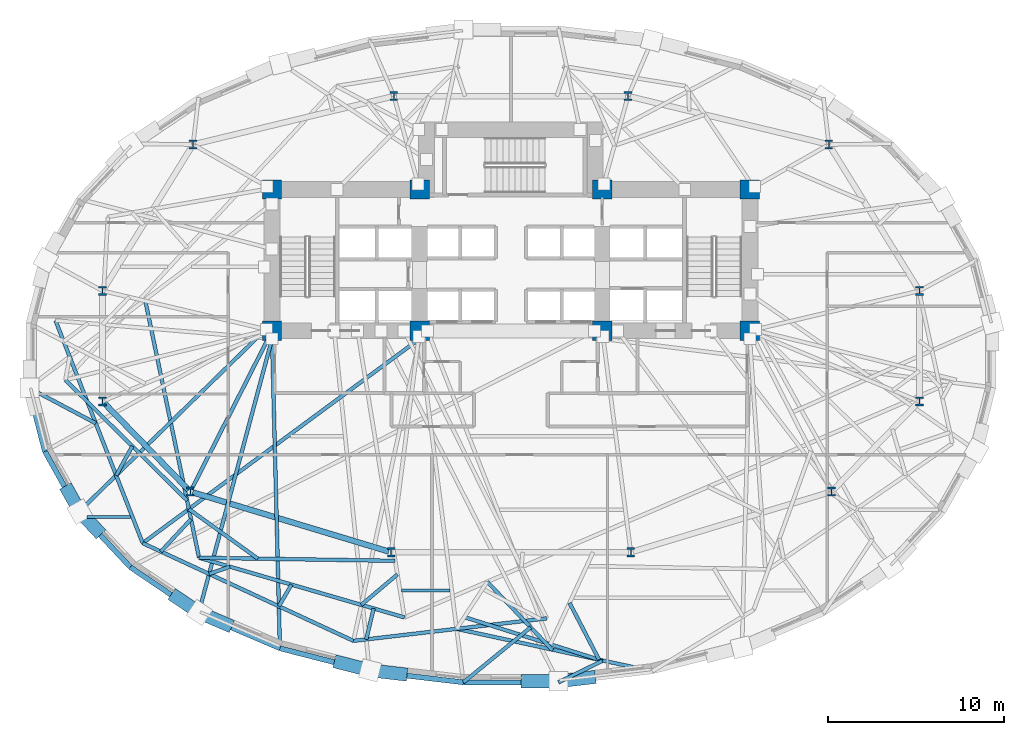
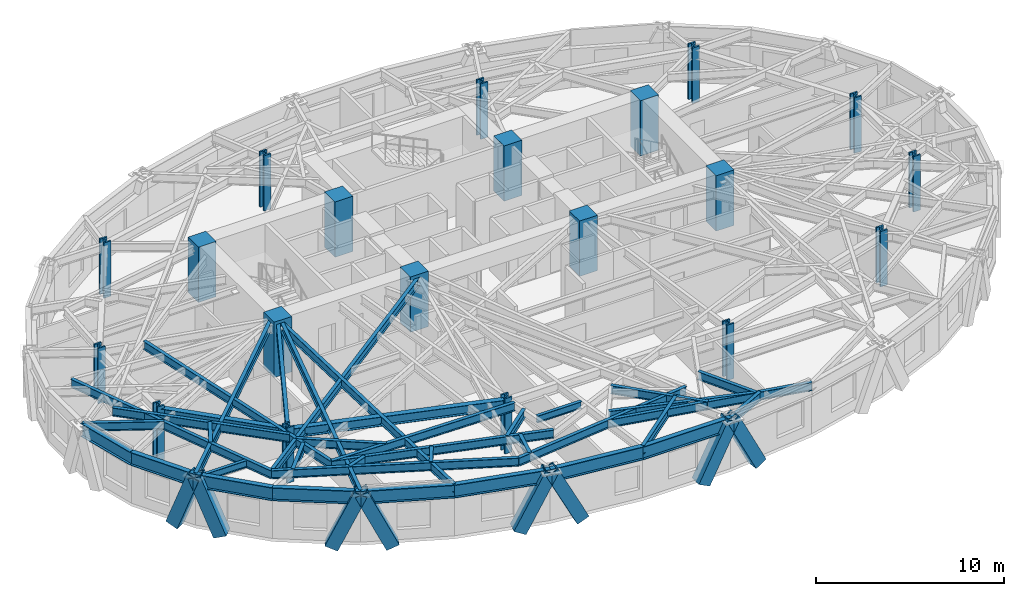
# One storey, part 1 of 13: 38 beams, 20 columns, 8 members.
"""IFC4 building model written with IfcOpenShell, lengths in metres."""

from ifc_helpers import new_model, si_unit, direction, frame, origin, origin_2d, place, context, subcontext, project, spatial, rectangle, hollow_rectangle, i_section, extrude, material, material_profile, profile_set, type_object, element, save


model = new_model("IFC4")

# Units and contexts
model_context = context("Model", 3, precision=1e-05, world=origin(), true_north=direction((0.0, 1.0)))
body_context = subcontext(model_context, "Body", "Model", "MODEL_VIEW")
ifc_project = project(units=[si_unit("LENGTHUNIT", "METRE"), si_unit("AREAUNIT", "SQUARE_METRE"), si_unit("VOLUMEUNIT", "CUBIC_METRE"), si_unit("PLANEANGLEUNIT", "RADIAN"), si_unit("MASSUNIT", "GRAM", prefix="KILO")], contexts=[model_context])

# Site, building, storey
site_placement = place(None, origin())
site = spatial("IfcSite", under=ifc_project, at=site_placement, CompositionType="ELEMENT")
building_placement = place(site_placement, origin())
building = spatial("IfcBuilding", under=site, at=building_placement, Name="Keldmark Tower", CompositionType="ELEMENT")
storey_placement = place(building_placement, frame((0.0, 0.0, 45.0)))
storey = spatial("IfcBuildingStorey", under=building, at=storey_placement, Name="L11", CompositionType="ELEMENT", Elevation=45.0)

# Columns
ifc_material_1 = material(Name="Concrete C70/85", Category="concrete")
ifc_material_profile_1 = material_profile(ifc_material_1, rectangle(XDim=1.10009765625, YDim=1.10009765625, at=origin_2d()), Name="RC1100X1100")
ifc_profile_set_1 = profile_set([ifc_material_profile_1], Name="Concrete C70/85")
column_type_1 = type_object("IfcColumnType", Name="Core Boundary Column RC1100", PredefinedType="COLUMN", material=ifc_profile_set_1)
for number, where, z_axis, x_axis, name in (
    (1, (-13.60009765625, 1.39990234375, 0.0), (0.0, 0.0, 1.0), (1.0, 0.0, 0.0), "L11 Core Boundary Column CC-W1"),
    (2, (-13.60009765625, 9.449951171875, 0.0), (0.0, 0.0, 1.0), (1.0, 0.0, 0.0), "L11 Core Boundary Column CC-W2"),
    (3, (-5.199951171875, 1.39990234375, 0.0), (0.0, 0.0, 1.0), (1.0, 0.0, 0.0), "L11 Core Boundary Column CC-W3"),
    (4, (-5.199951171875, 9.449951171875, 0.0), (0.0, 0.0, 1.0), (1.0, 0.0, 0.0), "L11 Core Boundary Column CC-W4"),
    (5, (5.199951171875, 1.39990234375, 0.0), (0.0, 0.0, 1.0), (1.0, 0.0, 0.0), "L11 Core Boundary Column CC-E1"),
    (6, (5.199951171875, 9.449951171875, 0.0), (0.0, 0.0, 1.0), (1.0, 0.0, 0.0), "L11 Core Boundary Column CC-E2"),
    (7, (13.60009765625, 1.39990234375, 0.0), (0.0, 0.0, 1.0), (1.0, 0.0, 0.0), "L11 Core Boundary Column CC-E3"),
    (8, (13.60009765625, 9.449951171875, 0.0), (0.0, 0.0, 1.0), (1.0, 0.0, 0.0), "L11 Core Boundary Column CC-E4"),
):
    element("IfcColumn", number, at=place(storey_placement, frame(where, z_axis=z_axis, x_axis=x_axis)), inside=storey, type_object=column_type_1, Name=name, PredefinedType="COLUMN", context=body_context, shape_type="SweptSolid", body=[
        extrude(rectangle(XDim=1.10009765625, YDim=1.10009765625, at=origin_2d()), origin(), (0.0, 0.0, 1.0), 3.60009765625),
    ])
ifc_material_2 = material(Name="Steel ASTM A992 Grade 50", Category="steel")
ifc_material_profile_2 = material_profile(ifc_material_2, i_section(OverallWidth=0.43701171875, OverallDepth=0.513916015625, WebThickness=0.060546875, FlangeThickness=0.096923828125, at=origin_2d()), Name="W14X550")
ifc_profile_set_2 = profile_set([ifc_material_profile_2], Name="Steel ASTM A992 Grade 50")
column_type_2 = type_object("IfcColumnType", Name="Tower Gravity Column W14X550", PredefinedType="COLUMN", material=ifc_profile_set_2)
for number, where, z_axis, x_axis, name in (
    (9, (23.25390625, 3.67724609375, 0.0), (0.0, 0.0, 1.0), (1.0, 0.0, 0.0), "L11 Tower Gravity Column TC-E1"),
    (10, (18.09765625, 12.00732421875, 0.0), (0.0, 0.0, 1.0), (1.0, 0.0, 0.0), "L11 Tower Gravity Column TC-E4"),
    (11, (6.6650390625, 14.760009765625, 0.0), (0.0, 0.0, 1.0), (1.0, 0.0, 0.0), "L11 Tower Gravity Column TC-N2"),
    (12, (-6.6650390625, 14.760009765625, 0.0), (0.0, 0.0, 1.0), (1.0, 0.0, 0.0), "L11 Tower Gravity Column TC-N1"),
    (13, (-18.09765625, 12.00732421875, 0.0), (0.0, 0.0, 1.0), (1.0, 0.0, 0.0), "L11 Tower Gravity Column TC-W4"),
    (14, (-23.25390625, 3.67724609375, 0.0), (0.0, 0.0, 1.0), (1.0, 0.0, 0.0), "L11 Tower Gravity Column TC-W1"),
    (15, (-23.25390625, -2.61328125, 0.0), (0.0, 0.0, 1.0), (1.0, 0.0, 0.0), "L11 Tower Gravity Column TC-W5"),
    (16, (-18.252685546875, -7.755615234375, 0.0), (0.0, 0.0, 1.0), (1.0, 0.0, 0.0), "L11 Tower Gravity Column TC-W2"),
    (17, (-6.822021484375, -11.205810546875, 0.0), (0.0, 0.0, 1.0), (1.0, 0.0, 0.0), "L11 Tower Gravity Column TC-W3"),
    (18, (6.822021484375, -11.205810546875, 0.0), (0.0, 0.0, 1.0), (1.0, 0.0, 0.0), "L11 Tower Gravity Column TC-E3"),
    (19, (18.252685546875, -7.755615234375, 0.0), (0.0, 0.0, 1.0), (1.0, 0.0, 0.0), "L11 Tower Gravity Column TC-E2"),
    (20, (23.25390625, -2.61328125, 0.0), (0.0, 0.0, 1.0), (1.0, 0.0, 0.0), "L11 Tower Gravity Column TC-E5"),
):
    element("IfcColumn", number, at=place(storey_placement, frame(where, z_axis=z_axis, x_axis=x_axis)), inside=storey, type_object=column_type_2, Name=name, PredefinedType="COLUMN", context=body_context, shape_type="SweptSolid", body=[
        extrude(i_section(OverallWidth=0.43701171875, OverallDepth=0.513916015625, WebThickness=0.060546875, FlangeThickness=0.096923828125, at=origin_2d()), origin(), (0.0, 0.0, 1.0), 3.60009765625),
    ])

# Beams
ifc_material_3 = material(Name="Steel ASTM A992 Grade 50", Category="steel")
ifc_material_profile_3 = material_profile(ifc_material_3, i_section(OverallWidth=0.19091796875, OverallDepth=0.45703125, WebThickness=0.009033203125, FlangeThickness=0.014404296875, at=origin_2d()), Name="W18X50")
ifc_profile_set_3 = profile_set([ifc_material_profile_3], Name="Steel ASTM A992 Grade 50")
beam_type_1 = type_object("IfcBeamType", Name="Composite Floor Joist W18X50", PredefinedType="JOIST", material=ifc_profile_set_3)
beam_1_placement = place(storey_placement, frame((-6.2177734375, -13.3798828125, 3.17138671875), z_axis=(1.0, 0.0, 0.0), x_axis=(0.0, 1.0, 0.0)))
element("IfcBeam", 21, at=beam_1_placement, inside=storey, type_object=beam_type_1, Name="L11 Composite Floor Joist J01", PredefinedType="JOIST", context=body_context, shape_type="SweptSolid", body=[
    extrude(i_section(OverallWidth=0.19091796875, OverallDepth=0.45703125, WebThickness=0.009033203125, FlangeThickness=0.014404296875, at=origin_2d()), origin(), (0.0, 0.0, 1.0), 2.74853515625),
])
beam_2_placement = place(storey_placement, frame((-24.150390625, -9.199951171875, 3.17138671875), z_axis=(1.0, 0.0, 0.0), x_axis=(0.0, 1.0, 0.0)))
element("IfcBeam", 22, at=beam_2_placement, inside=storey, type_object=beam_type_1, Name="L11 Composite Floor Joist J04", PredefinedType="JOIST", context=body_context, shape_type="SweptSolid", body=[
    extrude(i_section(OverallWidth=0.19091796875, OverallDepth=0.45703125, WebThickness=0.009033203125, FlangeThickness=0.014404296875, at=origin_2d()), origin(), (0.0, 0.0, 1.0), 2.499755859375),
])

# Members
ifc_material_4 = material(Name="Steel ASTM A572 Grade 50", Category="steel")
ifc_material_profile_4 = material_profile(ifc_material_4, hollow_rectangle(XDim=0.75, YDim=0.75, WallThickness=0.06494140625, at=origin_2d()), Name="BOX750X750X65")
ifc_profile_set_4 = profile_set([ifc_material_profile_4], Name="Steel ASTM A572 Grade 50")
member_type = type_object("IfcMemberType", Name="Diagrid Lower Brace BOX750X750X65", PredefinedType="BRACE", material=ifc_profile_set_4)
member_1_placement = place(storey_placement, frame((-25.1943359375, -7.742919921875, -0.280029296875), z_axis=(0.16943120398, -0.303561561286, 0.937626495801), x_axis=(0.873195871477, 0.487369438963, 0.0)))
element("IfcMember", 23, at=member_1_placement, inside=storey, type_object=member_type, Name="L11 Perimeter Diagrid Brace 09B", PredefinedType="BRACE", context=body_context, shape_type="SweptSolid", body=[
    extrude(hollow_rectangle(XDim=0.75, YDim=0.75, WallThickness=0.06494140625, at=origin_2d()), origin(), (0.0, 0.0, 1.0), 3.796875),
])
member_2_placement = place(storey_placement, frame((-23.576904296875, -9.93115234375, -0.280029296875), z_axis=(-0.254983110742, 0.272732683571, 0.927685559092), x_axis=(-0.730477044088, -0.682937250456, 0.0)))
element("IfcMember", 24, at=member_2_placement, inside=storey, type_object=member_type, Name="L11 Perimeter Diagrid Brace 10A", PredefinedType="BRACE", context=body_context, shape_type="SweptSolid", body=[
    extrude(hollow_rectangle(XDim=0.75, YDim=0.75, WallThickness=0.06494140625, at=origin_2d()), origin(), (0.0, 0.0, 1.0), 3.837646484375),
])
member_3_placement = place(storey_placement, frame((-19.035400390625, -13.769775390625, -0.280029296875), z_axis=(0.333111984049, -0.225757763784, 0.915461543799), x_axis=(0.561020614618, 0.827801830134, 0.0)))
element("IfcMember", 25, at=member_3_placement, inside=storey, type_object=member_type, Name="L11 Perimeter Diagrid Brace 10B", PredefinedType="BRACE", context=body_context, shape_type="SweptSolid", body=[
    extrude(hollow_rectangle(XDim=0.75, YDim=0.75, WallThickness=0.06494140625, at=origin_2d()), origin(), (0.0, 0.0, 1.0), 3.888916015625),
])
member_4_placement = place(storey_placement, frame((-16.2041015625, -15.302490234375, -0.280029296875), z_axis=(-0.392247021116, 0.168433661558, 0.904307677773), x_axis=(-0.394567930175, -0.918866774063, 0.0)))
element("IfcMember", 26, at=member_4_placement, inside=storey, type_object=member_type, Name="L11 Perimeter Diagrid Brace 11A", PredefinedType="BRACE", context=body_context, shape_type="SweptSolid", body=[
    extrude(hollow_rectangle(XDim=0.75, YDim=0.75, WallThickness=0.06494140625, at=origin_2d()), origin(), (0.0, 0.0, 1.0), 3.936767578125),
])
member_5_placement = place(storey_placement, frame((-9.722900390625, -17.493896484375, -0.280029296875), z_axis=(0.428497120412, -0.109784320358, 0.896848716787), x_axis=(0.248191356425, 0.96871102533, 0.0)))
element("IfcMember", 27, at=member_5_placement, inside=storey, type_object=member_type, Name="L11 Perimeter Diagrid Brace 11B", PredefinedType="BRACE", context=body_context, shape_type="SweptSolid", body=[
    extrude(hollow_rectangle(XDim=0.75, YDim=0.75, WallThickness=0.06494140625, at=origin_2d()), origin(), (0.0, 0.0, 1.0), 3.969482421875),
])
member_6_placement = place(storey_placement, frame((-6.251220703125, -18.134765625, -0.280029296875), z_axis=(-0.446938713655, 0.052545000865, 0.893020049674), x_axis=(-0.116762289112, -0.993159890371, 0.0)))
element("IfcMember", 28, at=member_6_placement, inside=storey, type_object=member_type, Name="L11 Perimeter Diagrid Brace 12A", PredefinedType="BRACE", context=body_context, shape_type="SweptSolid", body=[
    extrude(hollow_rectangle(XDim=0.75, YDim=0.75, WallThickness=0.06494140625, at=origin_2d()), origin(), (0.0, 0.0, 1.0), 3.986572265625),
])
member_7_placement = place(storey_placement, frame((0.90771484375, -18.551513671875, -0.280029296875), z_axis=(0.451905727985, 0.0, 0.892065699943), x_axis=(0.0, 1.0, 0.0)))
element("IfcMember", 29, at=member_7_placement, inside=storey, type_object=member_type, Name="L11 Perimeter Diagrid Brace 12B", PredefinedType="BRACE", context=body_context, shape_type="SweptSolid", body=[
    extrude(hollow_rectangle(XDim=0.75, YDim=0.75, WallThickness=0.06494140625, at=origin_2d()), origin(), (0.0, 0.0, 1.0), 3.99072265625),
])
member_8_placement = place(storey_placement, frame((4.48095703125, -18.342041015625, -0.280029296875), z_axis=(-0.446938713655, -0.052545000865, 0.893020049674), x_axis=(0.116762289112, -0.993159890371, 0.0)))
element("IfcMember", 30, at=member_8_placement, inside=storey, type_object=member_type, Name="L11 Perimeter Diagrid Brace 13A", PredefinedType="BRACE", context=body_context, shape_type="SweptSolid", body=[
    extrude(hollow_rectangle(XDim=0.75, YDim=0.75, WallThickness=0.06494140625, at=origin_2d()), origin(), (0.0, 0.0, 1.0), 3.986572265625),
])

# Beams
ifc_material_5 = material(Name="Steel ASTM A992 Grade 50", Category="steel")
ifc_material_profile_5 = material_profile(ifc_material_5, i_section(OverallWidth=0.323974609375, OverallDepth=0.611083984375, WebThickness=0.0126953125, FlangeThickness=0.01904296875, at=origin_2d()), Name="W24X104")
ifc_profile_set_5 = profile_set([ifc_material_profile_5], Name="Steel ASTM A992 Grade 50")
beam_type_2 = type_object("IfcBeamType", Name="Primary Floor Girder W24X104", PredefinedType="BEAM", material=ifc_profile_set_5)
beam_3_placement = place(storey_placement, frame((-23.156494140625, -2.713623046875, 3.094482421875), z_axis=(0.697210382268, -0.716866572563, 0.0), x_axis=(0.716866572563, 0.697210382268, 0.0)))
element("IfcBeam", 31, at=beam_3_placement, inside=storey, type_object=beam_type_2, Name="L11 Floor Ring Girder FG-R07", PredefinedType="BEAM", context=body_context, shape_type="SweptSolid", body=[
    extrude(i_section(OverallWidth=0.323974609375, OverallDepth=0.611083984375, WebThickness=0.0126953125, FlangeThickness=0.01904296875, at=origin_2d()), origin(), (0.0, 0.0, 1.0), 6.893310546875),
])
beam_4_placement = place(storey_placement, frame((-18.118896484375, -7.796142578125, 3.094482421875), z_axis=(0.957346071406, -0.2889437654, 0.0), x_axis=(0.2889437654, 0.957346071406, 0.0)))
element("IfcBeam", 32, at=beam_4_placement, inside=storey, type_object=beam_type_2, Name="L11 Floor Ring Girder FG-R08", PredefinedType="BEAM", context=body_context, shape_type="SweptSolid", body=[
    extrude(i_section(OverallWidth=0.323974609375, OverallDepth=0.611083984375, WebThickness=0.0126953125, FlangeThickness=0.01904296875, at=origin_2d()), origin(), (0.0, 0.0, 1.0), 11.66015625),
])
ifc_material_6 = material(Name="Steel ASTM A992 Grade 50", Category="steel")
ifc_material_profile_6 = material_profile(ifc_material_6, i_section(OverallWidth=0.2099609375, OverallDepth=0.537109375, WebThickness=0.010986328125, FlangeThickness=0.017333984375, at=origin_2d()), Name="W21X68")
ifc_profile_set_6 = profile_set([ifc_material_profile_6], Name="Steel ASTM A992 Grade 50")
beam_type_3 = type_object("IfcBeamType", Name="Radial Tie Girder W21X68", PredefinedType="BEAM", material=ifc_profile_set_6)
beam_5_placement = place(storey_placement, frame((-25.365966796875, -1.396728515625, 3.131591796875), z_axis=(0.710554680152, -0.703641987458, 0.0), x_axis=(0.703641987458, 0.710554680152, 0.0)))
element("IfcBeam", 33, at=beam_5_placement, inside=storey, type_object=beam_type_3, Name="L11 Framing Pin Header PH-006", PredefinedType="BEAM", context=body_context, shape_type="SweptSolid", body=[
    extrude(i_section(OverallWidth=0.2099609375, OverallDepth=0.537109375, WebThickness=0.010986328125, FlangeThickness=0.017333984375, at=origin_2d()), origin(), (0.0, 0.0, 1.0), 9.747802734375),
])
beam_6_placement = place(storey_placement, frame((-20.816162109375, 3.102294921875, 3.131591796875), z_axis=(0.204805979275, -0.978802590338, 0.0), x_axis=(0.978802590338, 0.204805979275, 0.0)))
element("IfcBeam", 34, at=beam_6_placement, inside=storey, type_object=beam_type_3, Name="L11 Sub-Ring Step Girder STP1-M08", PredefinedType="BEAM", context=body_context, shape_type="SweptSolid", body=[
    extrude(i_section(OverallWidth=0.2099609375, OverallDepth=0.537109375, WebThickness=0.010986328125, FlangeThickness=0.017333984375, at=origin_2d()), origin(), (0.0, 0.0, 1.0), 14.9365234375),
])
beam_7_placement = place(storey_placement, frame((-17.757080078125, -11.517578125, 3.131591796875), z_axis=(0.999875069683, -0.015806486835, 0.0), x_axis=(0.015806486835, 0.999875069683, 0.0)))
element("IfcBeam", 35, at=beam_7_placement, inside=storey, type_object=beam_type_3, Name="L11 Framing Pin Header PH-007", PredefinedType="BEAM", context=body_context, shape_type="SweptSolid", body=[
    extrude(i_section(OverallWidth=0.2099609375, OverallDepth=0.537109375, WebThickness=0.010986328125, FlangeThickness=0.017333984375, at=origin_2d()), origin(), (0.0, 0.0, 1.0), 11.167236328125),
])
beam_8_placement = place(storey_placement, frame((-17.757080078125, -11.517578125, 3.131591796875), z_axis=(0.960268785137, -0.27907679999, 0.0), x_axis=(0.27907679999, 0.960268785137, 0.0)))
element("IfcBeam", 36, at=beam_8_placement, inside=storey, type_object=beam_type_3, Name="L11 Perimeter Collector Ring Beam CRG1-M08", PredefinedType="BEAM", context=body_context, shape_type="SweptSolid", body=[
    extrude(i_section(OverallWidth=0.2099609375, OverallDepth=0.537109375, WebThickness=0.010986328125, FlangeThickness=0.017333984375, at=origin_2d()), origin(), (0.0, 0.0, 1.0), 12.177490234375),
])
beam_9_placement = place(storey_placement, frame((-14.4072265625, -11.570556640625, 3.131591796875), z_axis=(-0.812111005772, 0.583502968548, 0.0), x_axis=(-0.583502968548, -0.812111005772, 0.0)))
element("IfcBeam", 37, at=beam_9_placement, inside=storey, type_object=beam_type_3, Name="L11 Framing Pin Header PH-011", PredefinedType="BEAM", context=body_context, shape_type="SweptSolid", body=[
    extrude(i_section(OverallWidth=0.2099609375, OverallDepth=0.537109375, WebThickness=0.010986328125, FlangeThickness=0.017333984375, at=origin_2d()), origin(), (0.0, 0.0, 1.0), 4.8388671875),
])
beam_10_placement = place(storey_placement, frame((-5.199951171875, 0.949951171875, 3.131591796875), z_axis=(-0.804551966945, -0.593882254731, 0.0), x_axis=(0.593882254731, -0.804551966945, 0.0)))
element("IfcBeam", 38, at=beam_10_placement, inside=storey, type_object=beam_type_3, Name="L11 Sub-Ring Step Girder STP2-M08", PredefinedType="BEAM", context=body_context, shape_type="SweptSolid", body=[
    extrude(i_section(OverallWidth=0.2099609375, OverallDepth=0.537109375, WebThickness=0.010986328125, FlangeThickness=0.017333984375, at=origin_2d()), origin(), (0.0, 0.0, 1.0), 19.59423828125),
])
beam_11_placement = place(storey_placement, frame((-6.46435546875, -12.46875, 3.131591796875), z_axis=(-0.764329245395, -0.644826181722, 0.0), x_axis=(0.644826181722, -0.764329245395, 0.0)))
element("IfcBeam", 39, at=beam_11_placement, inside=storey, type_object=beam_type_3, Name="L11 Framing Pin Header PH-012", PredefinedType="BEAM", context=body_context, shape_type="SweptSolid", body=[
    extrude(i_section(OverallWidth=0.2099609375, OverallDepth=0.537109375, WebThickness=0.010986328125, FlangeThickness=0.017333984375, at=origin_2d()), origin(), (0.0, 0.0, 1.0), 2.6884765625),
])
beam_12_placement = place(storey_placement, frame((-25.929931640625, 1.986328125, 3.131591796875), z_axis=(0.364800365892, -0.931085760306, 0.0), x_axis=(0.931085760306, 0.364800365892, 0.0)))
element("IfcBeam", 40, at=beam_12_placement, inside=storey, type_object=beam_type_3, Name="L11 Perimeter Collector Ring Beam CRG2-M07", PredefinedType="BEAM", context=body_context, shape_type="SweptSolid", body=[
    extrude(i_section(OverallWidth=0.2099609375, OverallDepth=0.537109375, WebThickness=0.010986328125, FlangeThickness=0.017333984375, at=origin_2d()), origin(), (0.0, 0.0, 1.0), 13.611083984375),
])
beam_13_placement = place(storey_placement, frame((-20.964599609375, -10.686767578125, 3.131591796875), z_axis=(0.907178634648, -0.420745677147, 0.0), x_axis=(0.420745677147, 0.907178634648, 0.0)))
element("IfcBeam", 41, at=beam_13_placement, inside=storey, type_object=beam_type_3, Name="L11 Perimeter Collector Ring Beam CRG2-M08", PredefinedType="BEAM", context=body_context, shape_type="SweptSolid", body=[
    extrude(i_section(OverallWidth=0.2099609375, OverallDepth=0.537109375, WebThickness=0.010986328125, FlangeThickness=0.017333984375, at=origin_2d()), origin(), (0.0, 0.0, 1.0), 13.22412109375),
])
beam_14_placement = place(storey_placement, frame((-8.968017578125, -16.250732421875, 3.131591796875), z_axis=(0.993286026042, 0.115684357068, 0.0), x_axis=(-0.115684357068, 0.993286026042, 0.0)))
element("IfcBeam", 42, at=beam_14_placement, inside=storey, type_object=beam_type_3, Name="L11 Perimeter Collector Ring Beam CRG2-M09", PredefinedType="BEAM", context=body_context, shape_type="SweptSolid", body=[
    extrude(i_section(OverallWidth=0.2099609375, OverallDepth=0.537109375, WebThickness=0.010986328125, FlangeThickness=0.017333984375, at=origin_2d()), origin(), (0.0, 0.0, 1.0), 11.081787109375),
])
beam_15_placement = place(storey_placement, frame((-27.4658203125, -1.8330078125, 3.131591796875), z_axis=(0.88344089832, -0.46854261191, 0.0), x_axis=(0.46854261191, 0.88344089832, 0.0)))
element("IfcBeam", 43, at=beam_15_placement, inside=storey, type_object=beam_type_3, Name="L11 Framing Pin Header PH-026", PredefinedType="BEAM", context=body_context, shape_type="SweptSolid", body=[
    extrude(i_section(OverallWidth=0.2099609375, OverallDepth=0.537109375, WebThickness=0.010986328125, FlangeThickness=0.017333984375, at=origin_2d()), origin(), (0.0, 0.0, 1.0), 4.332763671875),
])
beam_16_placement = place(storey_placement, frame((-21.556396484375, -5.169189453125, 3.131591796875), z_axis=(-0.484277203672, -0.874914618693, 0.0), x_axis=(0.874914618693, -0.484277203672, 0.0)))
element("IfcBeam", 44, at=beam_16_placement, inside=storey, type_object=beam_type_3, Name="L11 Framing Pin Header PH-027", PredefinedType="BEAM", context=body_context, shape_type="SweptSolid", body=[
    extrude(i_section(OverallWidth=0.2099609375, OverallDepth=0.537109375, WebThickness=0.010986328125, FlangeThickness=0.017333984375, at=origin_2d()), origin(), (0.0, 0.0, 1.0), 1.89794921875),
])
beam_17_placement = place(storey_placement, frame((-14.050048828125, 1.39990234375, 3.131591796875), z_axis=(-0.715378294414, -0.698737358298, 0.0), x_axis=(0.698737358298, -0.715378294414, 0.0)))
element("IfcBeam", 45, at=beam_17_placement, inside=storey, type_object=beam_type_3, Name="L11 Perimeter Radial Tie Girder RT-19", PredefinedType="BEAM", context=body_context, shape_type="SweptSolid", body=[
    extrude(i_section(OverallWidth=0.2099609375, OverallDepth=0.537109375, WebThickness=0.010986328125, FlangeThickness=0.017333984375, at=origin_2d()), origin(), (0.0, 0.0, 1.0), 14.759033203125),
])
beam_18_placement = place(storey_placement, frame((-18.216064453125, -9.32470703125, 3.131591796875), z_axis=(-0.681733860463, -0.731600262096, 0.0), x_axis=(0.731600262096, -0.681733860463, 0.0)))
element("IfcBeam", 46, at=beam_18_placement, inside=storey, type_object=beam_type_3, Name="L11 Framing Pin Header PH-028", PredefinedType="BEAM", context=body_context, shape_type="SweptSolid", body=[
    extrude(i_section(OverallWidth=0.2099609375, OverallDepth=0.537109375, WebThickness=0.010986328125, FlangeThickness=0.017333984375, at=origin_2d()), origin(), (0.0, 0.0, 1.0), 2.5166015625),
])
beam_19_placement = place(storey_placement, frame((-16.003173828125, -12.02734375, 3.131591796875), z_axis=(-0.944183253005, -0.329420680505, 0.0), x_axis=(0.329420680505, -0.944183253005, 0.0)))
element("IfcBeam", 47, at=beam_19_placement, inside=storey, type_object=beam_type_3, Name="L11 Framing Pin Header PH-029", PredefinedType="BEAM", context=body_context, shape_type="SweptSolid", body=[
    extrude(i_section(OverallWidth=0.2099609375, OverallDepth=0.537109375, WebThickness=0.010986328125, FlangeThickness=0.017333984375, at=origin_2d()), origin(), (0.0, 0.0, 1.0), 1.251708984375),
])
beam_20_placement = place(storey_placement, frame((-13.60009765625, 0.949951171875, 3.131591796875), z_axis=(-0.258628523431, -0.96597685628, 0.0), x_axis=(0.96597685628, -0.258628523431, 0.0)))
element("IfcBeam", 48, at=beam_20_placement, inside=storey, type_object=beam_type_3, Name="L11 Perimeter Radial Tie Girder RT-21", PredefinedType="BEAM", context=body_context, shape_type="SweptSolid", body=[
    extrude(i_section(OverallWidth=0.2099609375, OverallDepth=0.537109375, WebThickness=0.010986328125, FlangeThickness=0.017333984375, at=origin_2d()), origin(), (0.0, 0.0, 1.0), 16.1865234375),
])
beam_21_placement = place(storey_placement, frame((-12.4951171875, -13.046875, 3.131591796875), z_axis=(-0.503244034677, -0.864144340699, 0.0), x_axis=(0.864144340699, -0.503244034677, 0.0)))
element("IfcBeam", 49, at=beam_21_placement, inside=storey, type_object=beam_type_3, Name="L11 Framing Pin Header PH-030", PredefinedType="BEAM", context=body_context, shape_type="SweptSolid", body=[
    extrude(i_section(OverallWidth=0.2099609375, OverallDepth=0.537109375, WebThickness=0.010986328125, FlangeThickness=0.017333984375, at=origin_2d()), origin(), (0.0, 0.0, 1.0), 1.4287109375),
])
beam_22_placement = place(storey_placement, frame((-13.60009765625, 0.949951171875, 3.131591796875), z_axis=(0.02534127953, -0.99967885821, 0.0), x_axis=(0.99967885821, 0.02534127953, 0.0)))
element("IfcBeam", 50, at=beam_22_placement, inside=storey, type_object=beam_type_3, Name="L11 Perimeter Radial Tie Girder RT-22", PredefinedType="BEAM", context=body_context, shape_type="SweptSolid", body=[
    extrude(i_section(OverallWidth=0.2099609375, OverallDepth=0.537109375, WebThickness=0.010986328125, FlangeThickness=0.017333984375, at=origin_2d()), origin(), (0.0, 0.0, 1.0), 17.63037109375),
])
beam_23_placement = place(storey_placement, frame((-7.8173828125, -14.40625, 3.131591796875), z_axis=(-0.233031009995, -0.972469304596, 0.0), x_axis=(0.972469304596, -0.233031009995, 0.0)))
element("IfcBeam", 51, at=beam_23_placement, inside=storey, type_object=beam_type_3, Name="L11 Framing Pin Header PH-031", PredefinedType="BEAM", context=body_context, shape_type="SweptSolid", body=[
    extrude(i_section(OverallWidth=0.2099609375, OverallDepth=0.537109375, WebThickness=0.010986328125, FlangeThickness=0.017333984375, at=origin_2d()), origin(), (0.0, 0.0, 1.0), 1.809326171875),
])
beam_24_placement = place(storey_placement, frame((-1.34912109375, -12.88818359375, 3.131591796875), z_axis=(0.690178466372, -0.723639195011, 0.0), x_axis=(0.723639195011, 0.690178466372, 0.0)))
element("IfcBeam", 52, at=beam_24_placement, inside=storey, type_object=beam_type_3, Name="L11 Local Collector Chord RT-25C", PredefinedType="BEAM", context=body_context, shape_type="SweptSolid", body=[
    extrude(i_section(OverallWidth=0.2099609375, OverallDepth=0.537109375, WebThickness=0.010986328125, FlangeThickness=0.017333984375, at=origin_2d()), origin(), (0.0, 0.0, 1.0), 5.39208984375),
])
beam_25_placement = place(storey_placement, frame((-2.705078125, -18.611083984375, 3.131591796875), z_axis=(0.774080458609, 0.63308723222, 0.0), x_axis=(-0.63308723222, 0.774080458609, 0.0)))
element("IfcBeam", 53, at=beam_25_placement, inside=storey, type_object=beam_type_3, Name="L11 Framing Pin Header PH-034", PredefinedType="BEAM", context=body_context, shape_type="SweptSolid", body=[
    extrude(i_section(OverallWidth=0.2099609375, OverallDepth=0.537109375, WebThickness=0.010986328125, FlangeThickness=0.017333984375, at=origin_2d()), origin(), (0.0, 0.0, 1.0), 4.9453125),
])
beam_26_placement = place(storey_placement, frame((-2.657470703125, -14.89697265625, 3.131591796875), z_axis=(0.953420236774, -0.301645242147, 0.0), x_axis=(0.301645242147, 0.953420236774, 0.0)))
element("IfcBeam", 54, at=beam_26_placement, inside=storey, type_object=beam_type_3, Name="L11 Intermediate Radial Step Girder RT-26M", PredefinedType="BEAM", context=body_context, shape_type="SweptSolid", body=[
    extrude(i_section(OverallWidth=0.2099609375, OverallDepth=0.537109375, WebThickness=0.010986328125, FlangeThickness=0.017333984375, at=origin_2d()), origin(), (0.0, 0.0, 1.0), 8.253173828125),
])
beam_27_placement = place(storey_placement, frame((2.705078125, -18.611083984375, 3.131591796875), z_axis=(0.898468766926, 0.439037441296, 0.0), x_axis=(-0.439037441296, 0.898468766926, 0.0)))
element("IfcBeam", 55, at=beam_27_placement, inside=storey, type_object=beam_type_3, Name="L11 Local Collector Chord RT-26C", PredefinedType="BEAM", context=body_context, shape_type="SweptSolid", body=[
    extrude(i_section(OverallWidth=0.2099609375, OverallDepth=0.537109375, WebThickness=0.010986328125, FlangeThickness=0.017333984375, at=origin_2d()), origin(), (0.0, 0.0, 1.0), 2.789306640625),
])
beam_28_placement = place(storey_placement, frame((3.33544921875, -14.087646484375, 3.131591796875), z_axis=(0.461051419369, -0.887373421226, 0.0), x_axis=(0.887373421226, 0.461051419369, 0.0)))
element("IfcBeam", 56, at=beam_28_placement, inside=storey, type_object=beam_type_3, Name="L11 Framing Pin Header PH-036", PredefinedType="BEAM", context=body_context, shape_type="SweptSolid", body=[
    extrude(i_section(OverallWidth=0.2099609375, OverallDepth=0.537109375, WebThickness=0.010986328125, FlangeThickness=0.017333984375, at=origin_2d()), origin(), (0.0, 0.0, 1.0), 3.6484375),
])
beam_29_placement = place(storey_placement, frame((-3.093505859375, -15.56640625, 3.131591796875), z_axis=(0.977291004222, -0.21190161176, 0.0), x_axis=(0.21190161176, 0.977291004222, 0.0)))
element("IfcBeam", 57, at=beam_29_placement, inside=storey, type_object=beam_type_3, Name="L11 Perimeter Radial Tie Girder RT-26", PredefinedType="BEAM", context=body_context, shape_type="SweptSolid", body=[
    extrude(i_section(OverallWidth=0.2099609375, OverallDepth=0.537109375, WebThickness=0.010986328125, FlangeThickness=0.017333984375, at=origin_2d()), origin(), (0.0, 0.0, 1.0), 11.40283203125),
])
ifc_material_7 = material(Name="Steel ASTM A992 Grade 50", Category="steel")
ifc_material_profile_7 = material_profile(ifc_material_7, i_section(OverallWidth=0.214111328125, OverallDepth=0.549072265625, WebThickness=0.0146484375, FlangeThickness=0.023681640625, at=origin_2d()), Name="W21X93")
ifc_profile_set_7 = profile_set([ifc_material_profile_7], Name="Steel ASTM A992 Grade 50")
beam_type_4 = type_object("IfcBeamType", Name="Radial Tie Girder W21X93", PredefinedType="BEAM", material=ifc_profile_set_7)
beam_30_placement = place(storey_placement, frame((-18.189453125, -7.630859375, 3.12548828125), z_axis=(0.453037526986, 0.891491446478, 0.0), x_axis=(-0.891491446478, 0.453037526986, 0.0)))
element("IfcBeam", 58, at=beam_30_placement, inside=storey, type_object=beam_type_4, Name="L11 Floor Radial Girder FG-C08", PredefinedType="BEAM", context=body_context, shape_type="SweptSolid", body=[
    extrude(i_section(OverallWidth=0.214111328125, OverallDepth=0.549072265625, WebThickness=0.0146484375, FlangeThickness=0.023681640625, at=origin_2d()), origin(), (0.0, 0.0, 1.0), 9.81005859375),
])
ifc_material_8 = material(Name="Steel ASTM A992 Grade 50", Category="steel")
ifc_material_profile_8 = material_profile(ifc_material_8, i_section(OverallWidth=0.2919921875, OverallDepth=0.85888671875, WebThickness=0.01708984375, FlangeThickness=0.031005859375, at=origin_2d()), Name="W33X169")
ifc_profile_set_8 = profile_set([ifc_material_profile_8], Name="Steel ASTM A992 Grade 50")
beam_type_5 = type_object("IfcBeamType", Name="Spandrel Ring Beam W33X169", PredefinedType="SPANDREL", material=ifc_profile_set_8)
beam_31_placement = place(storey_placement, frame((-27.4658203125, -1.8330078125, 2.970458984375), z_axis=(0.248062710061, -0.968743976434, 0.0), x_axis=(0.968743976434, 0.248062710061, 0.0)))
element("IfcBeam", 59, at=beam_31_placement, inside=storey, type_object=beam_type_5, Name="L11 Perimeter Spandrel Ring Beam SRB-17", PredefinedType="SPANDREL", context=body_context, shape_type="SweptSolid", body=[
    extrude(i_section(OverallWidth=0.2919921875, OverallDepth=0.85888671875, WebThickness=0.01708984375, FlangeThickness=0.031005859375, at=origin_2d()), origin(), (0.0, 0.0, 1.0), 3.739013671875),
])
beam_32_placement = place(storey_placement, frame((-26.538330078125, -5.455078125, 2.970458984375), z_axis=(0.487369438963, -0.873195871477, 0.0), x_axis=(0.873195871477, 0.487369438963, 0.0)))
element("IfcBeam", 60, at=beam_32_placement, inside=storey, type_object=beam_type_5, Name="L11 Perimeter Spandrel Ring Beam SRB-18", PredefinedType="SPANDREL", context=body_context, shape_type="SweptSolid", body=[
    extrude(i_section(OverallWidth=0.2919921875, OverallDepth=0.85888671875, WebThickness=0.01708984375, FlangeThickness=0.031005859375, at=origin_2d()), origin(), (0.0, 0.0, 1.0), 3.9599609375),
])
beam_33_placement = place(storey_placement, frame((-24.6083984375, -8.912841796875, 2.970458984375), z_axis=(0.68299392258, -0.730424056093, 0.0), x_axis=(0.730424056093, 0.68299392258, 0.0)))
element("IfcBeam", 61, at=beam_33_placement, inside=storey, type_object=beam_type_5, Name="L11 Perimeter Spandrel Ring Beam SRB-19", PredefinedType="SPANDREL", context=body_context, shape_type="SweptSolid", body=[
    extrude(i_section(OverallWidth=0.2919921875, OverallDepth=0.85888671875, WebThickness=0.01708984375, FlangeThickness=0.031005859375, at=origin_2d()), origin(), (0.0, 0.0, 1.0), 4.298095703125),
])
beam_34_placement = place(storey_placement, frame((-21.6728515625, -12.05224609375, 2.970458984375), z_axis=(0.827842346852, -0.560960826402, 0.0), x_axis=(0.560960826402, 0.827842346852, 0.0)))
element("IfcBeam", 62, at=beam_34_placement, inside=storey, type_object=beam_type_5, Name="L11 Perimeter Spandrel Ring Beam SRB-20", PredefinedType="SPANDREL", context=body_context, shape_type="SweptSolid", body=[
    extrude(i_section(OverallWidth=0.2919921875, OverallDepth=0.85888671875, WebThickness=0.01708984375, FlangeThickness=0.031005859375, at=origin_2d()), origin(), (0.0, 0.0, 1.0), 4.69482421875),
])
beam_35_placement = place(storey_placement, frame((-17.786376953125, -14.685791015625, 2.970458984375), z_axis=(0.91889940345, -0.394491934442, 0.0), x_axis=(0.394491934442, 0.91889940345, 0.0)))
element("IfcBeam", 63, at=beam_35_placement, inside=storey, type_object=beam_type_5, Name="L11 Perimeter Spandrel Ring Beam SRB-21", PredefinedType="SPANDREL", context=body_context, shape_type="SweptSolid", body=[
    extrude(i_section(OverallWidth=0.2919921875, OverallDepth=0.85888671875, WebThickness=0.01708984375, FlangeThickness=0.031005859375, at=origin_2d()), origin(), (0.0, 0.0, 1.0), 5.0419921875),
])
beam_36_placement = place(storey_placement, frame((-13.1533203125, -16.6748046875, 2.970458984375), z_axis=(0.968691592339, -0.248267192621, 0.0), x_axis=(0.248267192621, 0.968691592339, 0.0)))
element("IfcBeam", 64, at=beam_36_placement, inside=storey, type_object=beam_type_5, Name="L11 Perimeter Spandrel Ring Beam SRB-22", PredefinedType="SPANDREL", context=body_context, shape_type="SweptSolid", body=[
    extrude(i_section(OverallWidth=0.2919921875, OverallDepth=0.85888671875, WebThickness=0.01708984375, FlangeThickness=0.031005859375, at=origin_2d()), origin(), (0.0, 0.0, 1.0), 5.26806640625),
])
beam_37_placement = place(storey_placement, frame((-8.05029296875, -17.982666015625, 2.970458984375), z_axis=(0.993159890371, -0.116762289112, 0.0), x_axis=(0.116762289112, 0.993159890371, 0.0)))
element("IfcBeam", 65, at=beam_37_placement, inside=storey, type_object=beam_type_5, Name="L11 Perimeter Spandrel Ring Beam SRB-23", PredefinedType="SPANDREL", context=body_context, shape_type="SweptSolid", body=[
    extrude(i_section(OverallWidth=0.2919921875, OverallDepth=0.85888671875, WebThickness=0.01708984375, FlangeThickness=0.031005859375, at=origin_2d()), origin(), (0.0, 0.0, 1.0), 5.382080078125),
])
beam_38_placement = place(storey_placement, frame((-2.705078125, -18.611083984375, 2.970458984375), z_axis=(1.0, 0.0, 0.0), x_axis=(0.0, 1.0, 0.0)))
element("IfcBeam", 66, at=beam_38_placement, inside=storey, type_object=beam_type_5, Name="L11 Perimeter Spandrel Ring Beam SRB-24", PredefinedType="SPANDREL", context=body_context, shape_type="SweptSolid", body=[
    extrude(i_section(OverallWidth=0.2919921875, OverallDepth=0.85888671875, WebThickness=0.01708984375, FlangeThickness=0.031005859375, at=origin_2d()), origin(), (0.0, 0.0, 1.0), 5.41015625),
])

save(model, "model.ifc")
